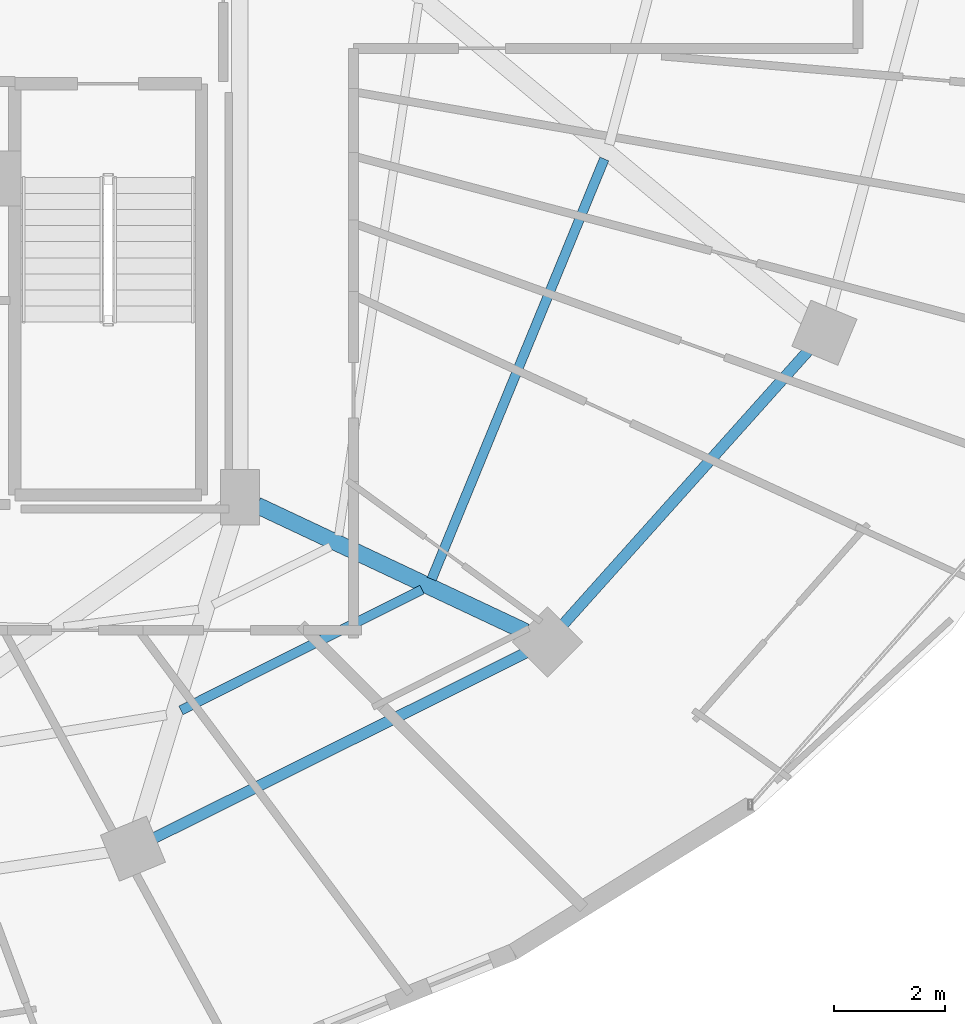
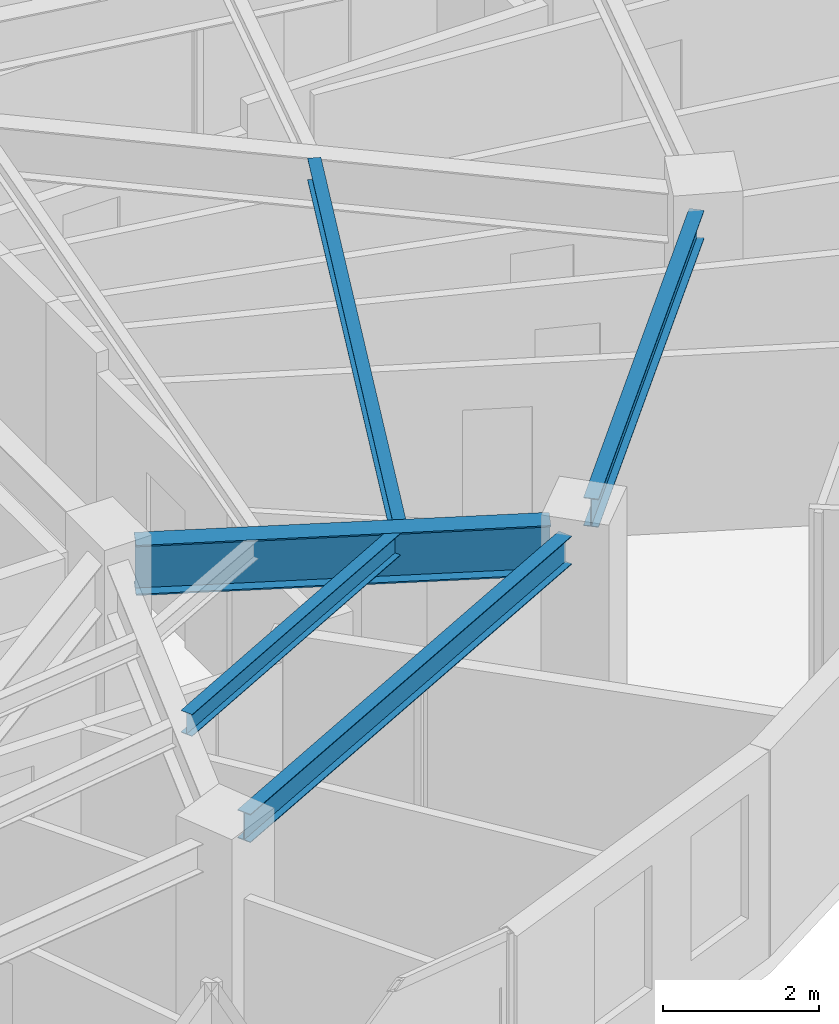
# One storey, part 12 of 34: 5 beams.
"""IFC4 building model written with IfcOpenShell, lengths in metres."""

from ifc_helpers import new_model, si_unit, direction, frame, origin, origin_2d, place, context, subcontext, project, spatial, i_section, extrude, material, material_profile, profile_set, type_object, element, save


model = new_model("IFC4")

# Units and contexts
model_context = context("Model", 3, precision=1e-05, world=origin(), true_north=direction((0.0, 1.0)))
body_context = subcontext(model_context, "Body", "Model", "MODEL_VIEW")
ifc_project = project(units=[si_unit("LENGTHUNIT", "METRE"), si_unit("AREAUNIT", "SQUARE_METRE"), si_unit("VOLUMEUNIT", "CUBIC_METRE"), si_unit("PLANEANGLEUNIT", "RADIAN"), si_unit("MASSUNIT", "GRAM", prefix="KILO")], contexts=[model_context])

# Site, building, storey
site_placement = place(None, origin())
site = spatial("IfcSite", under=ifc_project, at=site_placement, CompositionType="ELEMENT")
building_placement = place(site_placement, origin())
building = spatial("IfcBuilding", under=site, at=building_placement, Name="Vorneva Point Tower", CompositionType="ELEMENT")
storey_placement = place(building_placement, frame((0.0, 0.0, 186.10009765625)))
storey = spatial("IfcBuildingStorey", under=building, at=storey_placement, Name="L50", CompositionType="ELEMENT", Elevation=186.10009765625)

# Beams
ifc_material = material(Name="Steel S355", Category="steel")
ifc_material_profile_1 = material_profile(ifc_material, i_section(OverallWidth=0.300048828125, OverallDepth=0.7880859375, WebThickness=0.014404296875, FlangeThickness=0.02197265625, at=origin_2d()), Name="80Sh1")
ifc_profile_set_1 = profile_set([ifc_material_profile_1], Name="Steel S355")
beam_type_1 = type_object("IfcBeamType", Name="BM-GRD-80Sh1", PredefinedType="USERDEFINED", material=ifc_profile_set_1)
beam_1_placement = place(storey_placement, frame((53.902587890625, 14.0244140625, 2.845947265625), z_axis=(-0.904762899762, 0.42591559635, 0.0), x_axis=(-0.42591559635, -0.904762899762, 0.0)))
element("IfcBeam", 1, at=beam_1_placement, inside=storey, type_object=beam_type_1, Name="L50 Radial Primary Girder 15", ObjectType="GIRDER", PredefinedType="USERDEFINED", context=body_context, shape_type="SweptSolid", body=[
    extrude(i_section(OverallWidth=0.300048828125, OverallDepth=0.7880859375, WebThickness=0.014404296875, FlangeThickness=0.02197265625, at=origin_2d()), origin(), (0.0, 0.0, 1.0), 5.35498046875),
])
ifc_material_profile_2 = material_profile(ifc_material, i_section(OverallWidth=0.174072265625, OverallDepth=0.345947265625, WebThickness=0.006103515625, FlangeThickness=0.009033203125, at=origin_2d()), Name="35B1")
ifc_profile_set_2 = profile_set([ifc_material_profile_2], Name="Steel S355")
beam_type_2 = type_object("IfcBeamType", Name="BM-SEC-35B1", PredefinedType="BEAM", material=ifc_profile_set_2)
beam_2_placement = place(storey_placement, frame((47.684814453125, 12.604736328125, 3.06689453125), z_axis=(0.89410580889, 0.44785578316, 0.0), x_axis=(-0.44785578316, 0.89410580889, 0.0)))
element("IfcBeam", 2, at=beam_2_placement, inside=storey, type_object=beam_type_2, Name="L50 Secondary Floor Beam 1.14", PredefinedType="BEAM", context=body_context, shape_type="SweptSolid", body=[
    extrude(i_section(OverallWidth=0.174072265625, OverallDepth=0.345947265625, WebThickness=0.006103515625, FlangeThickness=0.009033203125, at=origin_2d()), origin(), (0.0, 0.0, 1.0), 4.865234375),
])
beam_3_placement = place(storey_placement, frame((52.210693359375, 14.97314453125, 3.06689453125), z_axis=(0.380070895396, 0.924957358192, 0.0), x_axis=(-0.924957358192, 0.380070895396, 0.0)))
element("IfcBeam", 3, at=beam_3_placement, inside=storey, type_object=beam_type_2, Name="L50 Secondary Floor Beam 1.15", PredefinedType="BEAM", context=body_context, shape_type="SweptSolid", body=[
    extrude(i_section(OverallWidth=0.174072265625, OverallDepth=0.345947265625, WebThickness=0.006103515625, FlangeThickness=0.009033203125, at=origin_2d()), origin(), (0.0, 0.0, 1.0), 8.194580078125),
])
ifc_material_profile_3 = material_profile(ifc_material, i_section(OverallWidth=0.198974609375, OverallDepth=0.446044921875, WebThickness=0.008056640625, FlangeThickness=0.011962890625, at=origin_2d()), Name="45B1")
ifc_profile_set_3 = profile_set([ifc_material_profile_3], Name="Steel S355")
beam_type_3 = type_object("IfcBeamType", Name="BM-SPN-45B1", PredefinedType="SPANDREL", material=ifc_profile_set_3)
beam_4_placement = place(storey_placement, frame((47.210205078125, 10.303466796875, 3.016845703125), z_axis=(0.894922371084, 0.446221861559, 0.0), x_axis=(-0.446221861559, 0.894922371084, 0.0)))
element("IfcBeam", 4, at=beam_4_placement, inside=storey, type_object=beam_type_3, Name="L50 Perimeter Spandrel Ring Beam 14", PredefinedType="SPANDREL", context=body_context, shape_type="SweptSolid", body=[
    extrude(i_section(OverallWidth=0.198974609375, OverallDepth=0.446044921875, WebThickness=0.008056640625, FlangeThickness=0.011962890625, at=origin_2d()), origin(), (0.0, 0.0, 1.0), 7.48583984375),
])
beam_5_placement = place(storey_placement, frame((54.589111328125, 14.161865234375, 3.016845703125), z_axis=(0.66706970547, 0.744995307397, 0.0), x_axis=(-0.744995307397, 0.66706970547, 0.0)))
element("IfcBeam", 5, at=beam_5_placement, inside=storey, type_object=beam_type_3, Name="L50 Perimeter Spandrel Ring Beam 15", PredefinedType="SPANDREL", context=body_context, shape_type="SweptSolid", body=[
    extrude(i_section(OverallWidth=0.198974609375, OverallDepth=0.446044921875, WebThickness=0.008056640625, FlangeThickness=0.011962890625, at=origin_2d()), origin(), (0.0, 0.0, 1.0), 6.6201171875),
])

save(model, "model.ifc")
